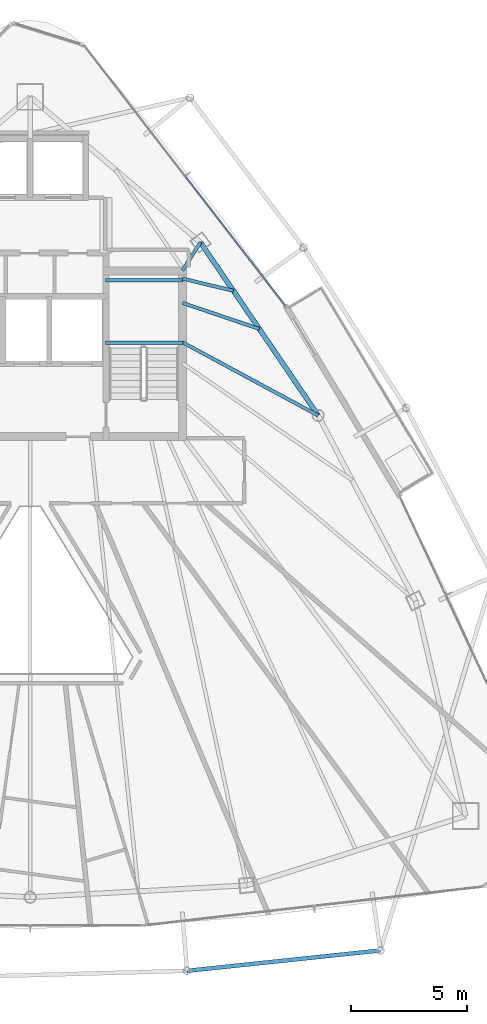
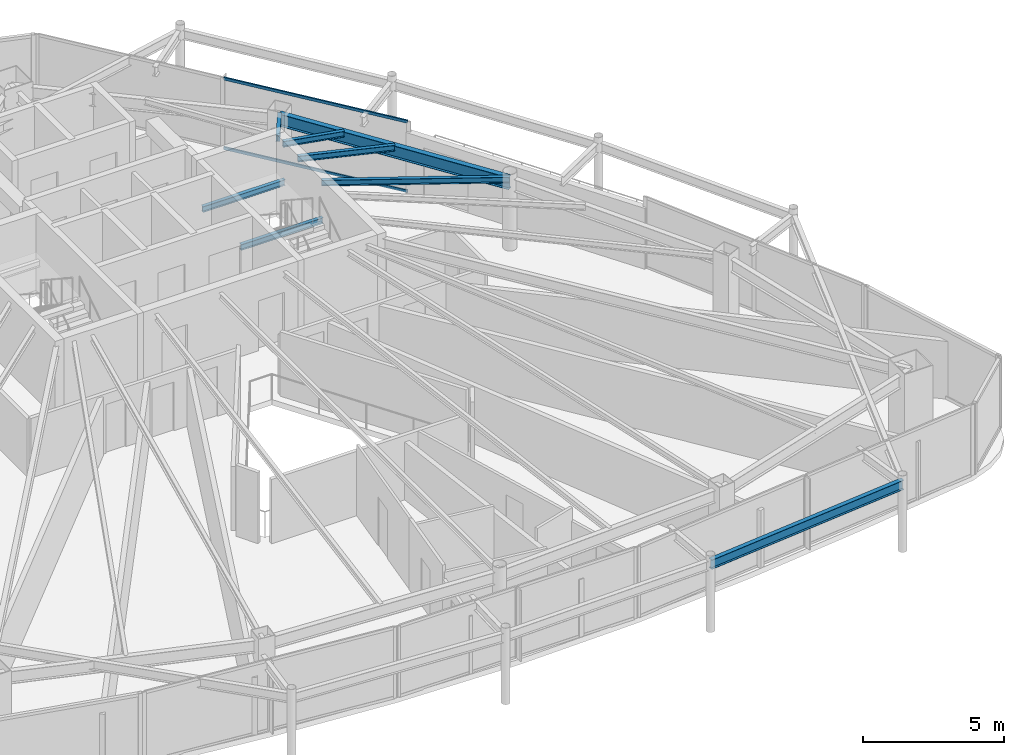
# One storey, part 13 of 28: 8 beams, 2 members, 1 element without a shape of its own.
"""IFC4 building model written with IfcOpenShell, lengths in metres."""

from ifc_helpers import new_model, si_unit, direction, frame, origin, origin_2d, place, context, subcontext, project, spatial, hollow_rectangle, i_section, extrude, material, layer, layer_set, material_profile, profile_set, type_object, element, aggregate, save


model = new_model("IFC4")

# Units and contexts
model_context = context("Model", 3, precision=1e-05, world=origin(), true_north=direction((0.0, 1.0)))
body_context = subcontext(model_context, "Body", "Model", "MODEL_VIEW")
ifc_project = project(units=[si_unit("LENGTHUNIT", "METRE"), si_unit("AREAUNIT", "SQUARE_METRE"), si_unit("VOLUMEUNIT", "CUBIC_METRE"), si_unit("PLANEANGLEUNIT", "RADIAN"), si_unit("MASSUNIT", "GRAM", prefix="KILO")], contexts=[model_context])

# Site, building, storey
site_placement = place(None, origin())
site = spatial("IfcSite", under=ifc_project, at=site_placement, CompositionType="ELEMENT")
building_placement = place(site_placement, origin())
building = spatial("IfcBuilding", under=site, at=building_placement, Name="Orvanel Arch Residences", CompositionType="ELEMENT")
storey_placement = place(building_placement, frame((0.0, 0.0, 263.449951171875)))
storey = spatial("IfcBuildingStorey", under=building, at=storey_placement, Name="L75", CompositionType="ELEMENT", Elevation=263.449951171875)

# Beams
ifc_material_1 = material(Name="Structural steel AS/NZS 3679.1 Grade 300 (300 MPa)", Category="steel")
ifc_material_profile_1 = material_profile(ifc_material_1, i_section(OverallWidth=0.14599609375, OverallDepth=0.251953125, WebThickness=0.006103515625, FlangeThickness=0.008544921875, at=origin_2d()), Name="250UB31.4")
ifc_profile_set_1 = profile_set([ifc_material_profile_1], Name="Structural steel AS/NZS 3679.1 Grade 300 (300 MPa)")
beam_type_1 = type_object("IfcBeamType", Name="BJ-250UB", PredefinedType="JOIST", material=ifc_profile_set_1)
for number, where, z_axis, x_axis, name in (
    (1, (36.25, 30.780029296875, 1.323974609375), (1.0, 0.0, 0.0), (0.0, 1.0, 0.0), "L75 ST-2 Half-Landing Support Beam 1.1"),
    (2, (36.25, 33.47998046875, 1.323974609375), (1.0, 0.0, 0.0), (0.0, 1.0, 0.0), "L75 ST-2 Half-Landing Support Beam 1.2"),
):
    element("IfcBeam", number, at=place(storey_placement, frame(where, z_axis=z_axis, x_axis=x_axis)), inside=storey, type_object=beam_type_1, Name=name, PredefinedType="JOIST", context=body_context, shape_type="SweptSolid", body=[
        extrude(i_section(OverallWidth=0.14599609375, OverallDepth=0.251953125, WebThickness=0.006103515625, FlangeThickness=0.008544921875, at=origin_2d()), origin(), (0.0, 0.0, 1.0), 3.35009765625),
    ])
beam_1_placement = place(storey_placement, frame((39.574951171875, 33.89990234375, 2.93408203125), z_axis=(0.539395075146, 0.842052820735, 0.0), x_axis=(-0.842052820735, 0.539395075146, 0.0)))
element("IfcBeam", 3, at=beam_1_placement, inside=storey, type_object=beam_type_1, Name="L75 NNE Wing Floor Joist", PredefinedType="JOIST", context=body_context, shape_type="SweptSolid", body=[
    extrude(i_section(OverallWidth=0.14599609375, OverallDepth=0.251953125, WebThickness=0.006103515625, FlangeThickness=0.008544921875, at=origin_2d()), origin(), (0.0, 0.0, 1.0), 1.440673828125),
])
beam_2_placement = place(storey_placement, frame((39.574951171875, 30.800048828125, 2.93408203125), z_axis=(0.880111494021, -0.474767056664, 0.0), x_axis=(0.474767056664, 0.880111494021, 0.0)))
element("IfcBeam", 4, at=beam_2_placement, inside=storey, type_object=beam_type_1, Name="L75 NE Wing Floor Joist", PredefinedType="JOIST", context=body_context, shape_type="SweptSolid", body=[
    extrude(i_section(OverallWidth=0.14599609375, OverallDepth=0.251953125, WebThickness=0.006103515625, FlangeThickness=0.008544921875, at=origin_2d()), origin(), (0.0, 0.0, 1.0), 6.653564453125),
])
beam_3_placement = place(storey_placement, frame((39.574951171875, 32.5, 2.93408203125), z_axis=(0.947159269453, -0.320763648641, 0.0), x_axis=(0.320763648641, 0.947159269453, 0.0)))
element("IfcBeam", 5, at=beam_3_placement, inside=storey, type_object=beam_type_1, Name="L75 ENE Wing Floor Joist", PredefinedType="JOIST", context=body_context, shape_type="SweptSolid", body=[
    extrude(i_section(OverallWidth=0.14599609375, OverallDepth=0.251953125, WebThickness=0.006103515625, FlangeThickness=0.008544921875, at=origin_2d()), origin(), (0.0, 0.0, 1.0), 3.501220703125),
])
beam_4_placement = place(storey_placement, frame((39.574951171875, 33.550048828125, 2.93408203125), z_axis=(0.972256833016, -0.23391590509, 0.0), x_axis=(0.23391590509, 0.972256833016, 0.0)))
element("IfcBeam", 6, at=beam_4_placement, inside=storey, type_object=beam_type_1, Name="L75 JADD4 Wing Floor Joist", PredefinedType="JOIST", context=body_context, shape_type="SweptSolid", body=[
    extrude(i_section(OverallWidth=0.14599609375, OverallDepth=0.251953125, WebThickness=0.006103515625, FlangeThickness=0.008544921875, at=origin_2d()), origin(), (0.0, 0.0, 1.0), 2.26171875),
])
ifc_material_profile_2 = material_profile(ifc_material_1, i_section(OverallWidth=0.177978515625, OverallDepth=0.406005859375, WebThickness=0.0078125, FlangeThickness=0.0126953125, at=origin_2d()), Name="410UB59.7")
ifc_profile_set_2 = profile_set([ifc_material_profile_2], Name="Structural steel AS/NZS 3679.1 Grade 300 (300 MPa)")
beam_type_2 = type_object("IfcBeamType", Name="OB-410UB-EXT", PredefinedType="SPANDREL", material=ifc_profile_set_2)
beam_5_placement = place(storey_placement, frame((39.77099609375, 3.6650390625, 2.85693359375), z_axis=(0.994506090216, 0.104678730039, 0.0), x_axis=(-0.104678730039, 0.994506090216, 0.0)))
element("IfcBeam", 7, at=beam_5_placement, inside=storey, type_object=beam_type_2, Name="L75 Outer Perimeter Floor Ring Beam 07", PredefinedType="SPANDREL", context=body_context, shape_type="SweptSolid", body=[
    extrude(i_section(OverallWidth=0.177978515625, OverallDepth=0.406005859375, WebThickness=0.0078125, FlangeThickness=0.0126953125, at=origin_2d()), origin(), (0.0, 0.0, 1.0), 8.396240234375),
])
ifc_material_profile_3 = material_profile(ifc_material_1, i_section(OverallWidth=0.208984375, OverallDepth=0.532958984375, WebThickness=0.01025390625, FlangeThickness=0.015625, at=origin_2d()), Name="530UB92.4")
ifc_profile_set_3 = profile_set([ifc_material_profile_3], Name="Structural steel AS/NZS 3679.1 Grade 300 (300 MPa)")
beam_type_3 = type_object("IfcBeamType", Name="SP-530UB", PredefinedType="SPANDREL", material=ifc_profile_set_3)
beam_6_placement = place(storey_placement, frame((45.430908203125, 27.64111328125, 2.79296875), z_axis=(-0.562154793153, 0.827032035978, 0.0), x_axis=(-0.827032035978, -0.562154793153, 0.0)))
element("IfcBeam", 8, at=beam_6_placement, inside=storey, type_object=beam_type_3, Name="L75 Perimeter Spandrel Beam 08", PredefinedType="SPANDREL", context=body_context, shape_type="SweptSolid", body=[
    extrude(i_section(OverallWidth=0.208984375, OverallDepth=0.532958984375, WebThickness=0.01025390625, FlangeThickness=0.015625, at=origin_2d()), origin(), (0.0, 0.0, 1.0), 9.03466796875),
])

# Curtain wall, members
ifc_material_2 = material(Name="Bronze-anodised aluminium AA6063-T6", Category="aluminium")
ifc_layer = layer(ifc_material_2, 0.175048828125)
ifc_layer_set = layer_set([ifc_layer], Name="Bronze-anodised aluminium AA6063-T6")
curtain_wall_type = type_object("IfcCurtainWallType", Name="CW4-HI-SYS", PredefinedType="NOTDEFINED", material=ifc_layer_set)
curtain_wall_placement = place(storey_placement, origin())
curtain_wall = element("IfcCurtainWall", 9, at=curtain_wall_placement, inside=storey, type_object=curtain_wall_type, Name="L75 CW4-HI-SYS Unitised Curtain Wall", PredefinedType="NOTDEFINED")
ifc_material_profile_4 = material_profile(ifc_material_2, hollow_rectangle(XDim=0.06005859375, YDim=0.1201171875, WallThickness=0.00341796875, at=origin_2d()), Name="ALU120x60x3.5")
ifc_profile_set_4 = profile_set([ifc_material_profile_4], Name="Bronze-anodised aluminium AA6063-T6")
member_type = type_object("IfcMemberType", Name="TRN-120x60", PredefinedType="USERDEFINED", material=ifc_profile_set_4)
member_1_placement = place(storey_placement, frame((44.01025390625, 32.388427734375, 0.030029296875), z_axis=(-0.611588835985, 0.791175767892, 0.0), x_axis=(-0.791175767892, -0.611588835985, 0.0)))
member_1 = element("IfcMember", 10, at=member_1_placement, type_object=member_type, Name="CW-S4 transom 1.1", ObjectType="TRANSOM", PredefinedType="USERDEFINED", context=body_context, shape_type="SweptSolid", body=[
    extrude(hollow_rectangle(XDim=0.06005859375, YDim=0.1201171875, WallThickness=0.00341796875, at=origin_2d()), origin(), (0.0, 0.0, 1.0), 7.02978515625),
])
member_2_placement = place(storey_placement, frame((44.01025390625, 32.388427734375, 3.030029296875), z_axis=(-0.611588835985, 0.791175767892, 0.0), x_axis=(-0.791175767892, -0.611588835985, 0.0)))
member_2 = element("IfcMember", 11, at=member_2_placement, type_object=member_type, Name="CW-S4 transom 1.2", ObjectType="TRANSOM", PredefinedType="USERDEFINED", context=body_context, shape_type="SweptSolid", body=[
    extrude(hollow_rectangle(XDim=0.06005859375, YDim=0.1201171875, WallThickness=0.00341796875, at=origin_2d()), origin(), (0.0, 0.0, 1.0), 7.02978515625),
])
aggregate(curtain_wall, [member_1, member_2])

save(model, "model.ifc")
